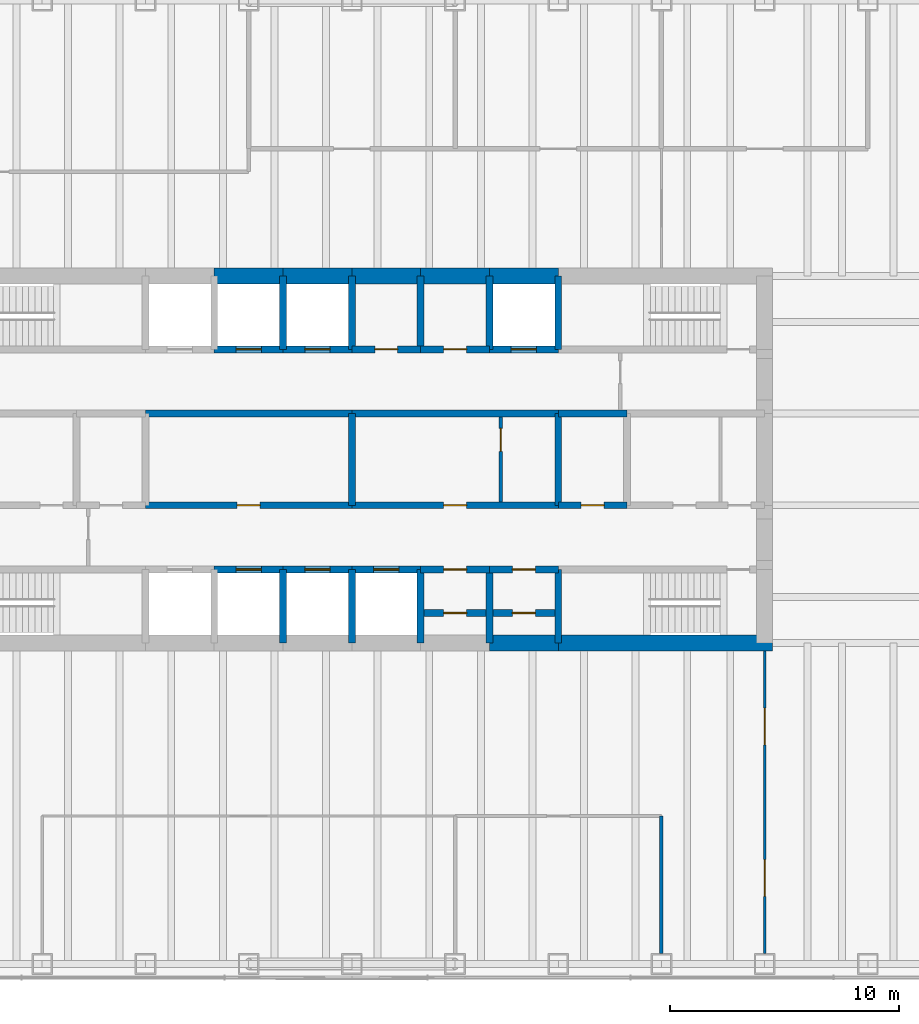
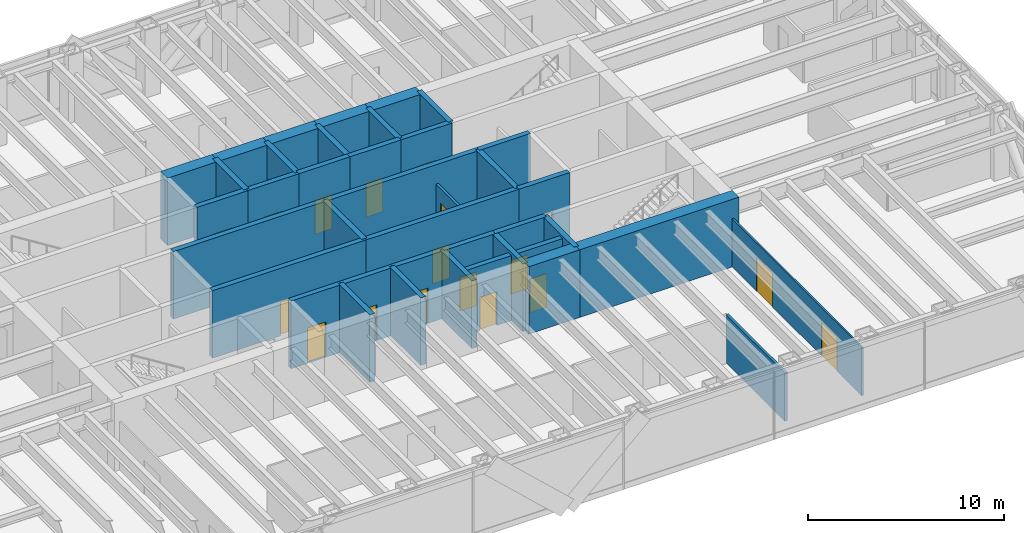
# One storey, part 14 of 17: 40 walls, 18 doors, 18 openings.
"""IFC4 building model written with IfcOpenShell, lengths in metres."""

from ifc_helpers import new_model, si_unit, direction, frame, frame_2d, origin, place, context, subcontext, project, spatial, rectangle, extrude, material, layer, layer_set, type_object, element, fill, save


model = new_model("IFC4")

# Units and contexts
model_context = context("Model", 3, precision=1e-05, world=origin(), true_north=direction((0.0, 1.0)))
body_context = subcontext(model_context, "Body", "Model", "MODEL_VIEW")
ifc_project = project(units=[si_unit("LENGTHUNIT", "METRE"), si_unit("AREAUNIT", "SQUARE_METRE"), si_unit("VOLUMEUNIT", "CUBIC_METRE"), si_unit("PLANEANGLEUNIT", "RADIAN"), si_unit("MASSUNIT", "GRAM", prefix="KILO")], contexts=[model_context])

# Site, building, storey
site_placement = place(None, origin())
site = spatial("IfcSite", under=ifc_project, at=site_placement, CompositionType="ELEMENT")
building_placement = place(site_placement, origin())
building = spatial("IfcBuilding", under=site, at=building_placement, Name="Rheinbord Bourse Tower", CompositionType="ELEMENT")
storey_placement = place(building_placement, frame((0.0, 0.0, 304.699951171875)))
storey = spatial("IfcBuildingStorey", under=building, at=storey_placement, Name="L69", CompositionType="ELEMENT", Elevation=304.699951171875)

# Wall, opening, door
ifc_material_1 = material(Name="Concrete C50/60", Category="concrete")
ifc_layer_1 = layer(ifc_material_1, 0.300048828125)
ifc_layer_set_1 = layer_set([ifc_layer_1], Name="CORE INNER WALL 300")
wall_type_1 = type_object("IfcWallType", Name="CORE INNER WALL 300", PredefinedType="SOLIDWALL", material=ifc_layer_set_1)
wall_1_placement = place(storey_placement, frame((30.0, 19.199951171875, 0.0), z_axis=(0.0, 0.0, 1.0), x_axis=(1.0, 0.0, 0.0)))
wall_1 = element("IfcWall", 1, at=wall_1_placement, inside=storey, type_object=wall_type_1, Name="Core wall A3 L69", PredefinedType="SOLIDWALL", context=body_context, shape_type="SweptSolid", body=[
    extrude(rectangle(XDim=3.0, YDim=0.300048828125, at=frame_2d((1.5, 0.0))), origin(), (0.0, 0.0, 1.0), 4.199951171875),
])
opening_1_placement = place(wall_1_placement, frame((0.949951171875, 0.0, 0.0)))
opening_1 = element("IfcOpeningElement", 2, at=opening_1_placement, cuts=wall_1, Name="Opening PD1", PredefinedType="OPENING", context=body_context, shape_type="SweptSolid", body=[
    extrude(rectangle(XDim=1.10009765625, YDim=2.199951171875, at=frame_2d((0.550048828125, 1.10009765625))), frame((0.0, 0.159912109375, 0.0), z_axis=(0.0, -1.0, 0.0), x_axis=(1.0, 0.0, 0.0)), (0.0, 0.0, 1.0), 0.320068359375),
])
ifc_material_2 = material(Name="Steel landing door", Category="steel")
door_type_1 = type_object("IfcDoorType", Name="LIFT LANDING DOOR 1100", OperationType="DOUBLE_DOOR_SLIDING", PredefinedType="USERDEFINED", material=ifc_material_2)
door_1_placement = place(opening_1_placement, origin())
door_1 = element("IfcDoor", 3, at=door_1_placement, inside=storey, type_object=door_type_1, Name="Lift landing door PD1 L69", ObjectType="LIFT LANDING DOOR", OperationType="DOUBLE_DOOR_SLIDING", OverallHeight=2.199951171875, OverallWidth=1.10009765625, PredefinedType="USERDEFINED", context=body_context, shape_type="SweptSolid", body=[
    extrude(rectangle(XDim=1.10009765625, YDim=2.199951171875, at=frame_2d((0.550048828125, 1.10009765625))), frame((0.0, 0.02490234375, 0.0), z_axis=(0.0, -1.0, 0.0), x_axis=(1.0, 0.0, 0.0)), (0.0, 0.0, 1.0), 0.050048828125),
])
fill(opening_1, door_1)

wall_2_placement = place(storey_placement, frame((33.0, 19.199951171875, 0.0), z_axis=(0.0, 0.0, 1.0), x_axis=(1.0, 0.0, 0.0)))
wall_2 = element("IfcWall", 4, at=wall_2_placement, inside=storey, type_object=wall_type_1, Name="Core wall A4 L69", PredefinedType="SOLIDWALL", context=body_context, shape_type="SweptSolid", body=[
    extrude(rectangle(XDim=3.0, YDim=0.300048828125, at=frame_2d((1.5, 0.0))), origin(), (0.0, 0.0, 1.0), 4.199951171875),
])
opening_2_placement = place(wall_2_placement, frame((0.949951171875, 0.0, 0.0)))
opening_2 = element("IfcOpeningElement", 5, at=opening_2_placement, cuts=wall_2, Name="Opening PD2", PredefinedType="OPENING", context=body_context, shape_type="SweptSolid", body=[
    extrude(rectangle(XDim=1.10009765625, YDim=2.199951171875, at=frame_2d((0.550048828125, 1.10009765625))), frame((0.0, 0.159912109375, 0.0), z_axis=(0.0, -1.0, 0.0), x_axis=(1.0, 0.0, 0.0)), (0.0, 0.0, 1.0), 0.320068359375),
])
door_2_placement = place(opening_2_placement, origin())
door_2 = element("IfcDoor", 6, at=door_2_placement, inside=storey, type_object=door_type_1, Name="Lift landing door PD2 L69", ObjectType="LIFT LANDING DOOR", OperationType="DOUBLE_DOOR_SLIDING", OverallHeight=2.199951171875, OverallWidth=1.10009765625, PredefinedType="USERDEFINED", context=body_context, shape_type="SweptSolid", body=[
    extrude(rectangle(XDim=1.10009765625, YDim=2.199951171875, at=frame_2d((0.550048828125, 1.10009765625))), frame((0.0, 0.02490234375, 0.0), z_axis=(0.0, -1.0, 0.0), x_axis=(1.0, 0.0, 0.0)), (0.0, 0.0, 1.0), 0.050048828125),
])
fill(opening_2, door_2)

wall_3_placement = place(storey_placement, frame((36.0, 19.199951171875, 0.0), z_axis=(0.0, 0.0, 1.0), x_axis=(1.0, 0.0, 0.0)))
wall_3 = element("IfcWall", 7, at=wall_3_placement, inside=storey, type_object=wall_type_1, Name="Core wall A5 L69", PredefinedType="SOLIDWALL", context=body_context, shape_type="SweptSolid", body=[
    extrude(rectangle(XDim=3.0, YDim=0.300048828125, at=frame_2d((1.5, 0.0))), origin(), (0.0, 0.0, 1.0), 4.199951171875),
])
opening_3_placement = place(wall_3_placement, frame((0.949951171875, 0.0, 0.0)))
opening_3 = element("IfcOpeningElement", 8, at=opening_3_placement, cuts=wall_3, Name="Opening PD3", PredefinedType="OPENING", context=body_context, shape_type="SweptSolid", body=[
    extrude(rectangle(XDim=1.10009765625, YDim=2.199951171875, at=frame_2d((0.550048828125, 1.10009765625))), frame((0.0, 0.159912109375, 0.0), z_axis=(0.0, -1.0, 0.0), x_axis=(1.0, 0.0, 0.0)), (0.0, 0.0, 1.0), 0.320068359375),
])
door_3_placement = place(opening_3_placement, origin())
door_3 = element("IfcDoor", 9, at=door_3_placement, inside=storey, type_object=door_type_1, Name="Lift landing door PD3 L69", ObjectType="LIFT LANDING DOOR", OperationType="DOUBLE_DOOR_SLIDING", OverallHeight=2.199951171875, OverallWidth=1.10009765625, PredefinedType="USERDEFINED", context=body_context, shape_type="SweptSolid", body=[
    extrude(rectangle(XDim=1.10009765625, YDim=2.199951171875, at=frame_2d((0.550048828125, 1.10009765625))), frame((0.0, 0.02490234375, 0.0), z_axis=(0.0, -1.0, 0.0), x_axis=(1.0, 0.0, 0.0)), (0.0, 0.0, 1.0), 0.050048828125),
])
fill(opening_3, door_3)

wall_4_placement = place(storey_placement, frame((39.0, 19.199951171875, 0.0), z_axis=(0.0, 0.0, 1.0), x_axis=(1.0, 0.0, 0.0)))
wall_4 = element("IfcWall", 10, at=wall_4_placement, inside=storey, type_object=wall_type_1, Name="Core wall A6 L69", PredefinedType="SOLIDWALL", context=body_context, shape_type="SweptSolid", body=[
    extrude(rectangle(XDim=3.0, YDim=0.300048828125, at=frame_2d((1.5, 0.0))), origin(), (0.0, 0.0, 1.0), 4.199951171875),
])
opening_4_placement = place(wall_4_placement, frame((1.0, 0.0, 0.0)))
opening_4 = element("IfcOpeningElement", 11, at=opening_4_placement, cuts=wall_4, Name="Opening 69R8", PredefinedType="OPENING", context=body_context, shape_type="SweptSolid", body=[
    extrude(rectangle(XDim=1.0, YDim=2.10009765625, at=frame_2d((0.5, 1.050048828125))), frame((0.0, 0.159912109375, 0.0), z_axis=(0.0, -1.0, 0.0), x_axis=(1.0, 0.0, 0.0)), (0.0, 0.0, 1.0), 0.320068359375),
])
ifc_material_3 = material(Name="Steel door", Category="steel")
door_type_2 = type_object("IfcDoorType", Name="DOOR 1000 EI30", OperationType="SINGLE_SWING_LEFT", PredefinedType="DOOR", material=ifc_material_3)
door_4_placement = place(opening_4_placement, origin())
door_4 = element("IfcDoor", 12, at=door_4_placement, inside=storey, type_object=door_type_2, Name="Stationery store door L69", OperationType="SINGLE_SWING_LEFT", OverallHeight=2.10009765625, OverallWidth=1.0, PredefinedType="DOOR", context=body_context, shape_type="SweptSolid", body=[
    extrude(rectangle(XDim=1.0, YDim=2.10009765625, at=frame_2d((0.5, 1.050048828125))), frame((0.0, 0.02490234375, 0.0), z_axis=(0.0, -1.0, 0.0), x_axis=(1.0, 0.0, 0.0)), (0.0, 0.0, 1.0), 0.050048828125),
])
fill(opening_4, door_4)

wall_5_placement = place(storey_placement, frame((42.0, 19.199951171875, 0.0), z_axis=(0.0, 0.0, 1.0), x_axis=(1.0, 0.0, 0.0)))
wall_5 = element("IfcWall", 13, at=wall_5_placement, inside=storey, type_object=wall_type_1, Name="Core wall A7 L69", PredefinedType="SOLIDWALL", context=body_context, shape_type="SweptSolid", body=[
    extrude(rectangle(XDim=3.0, YDim=0.300048828125, at=frame_2d((1.5, 0.0))), origin(), (0.0, 0.0, 1.0), 4.199951171875),
])
opening_5_placement = place(wall_5_placement, frame((1.0, 0.0, 0.0)))
opening_5 = element("IfcOpeningElement", 14, at=opening_5_placement, cuts=wall_5, Name="Opening 69R9", PredefinedType="OPENING", context=body_context, shape_type="SweptSolid", body=[
    extrude(rectangle(XDim=1.0, YDim=2.10009765625, at=frame_2d((0.5, 1.050048828125))), frame((0.0, 0.159912109375, 0.0), z_axis=(0.0, -1.0, 0.0), x_axis=(1.0, 0.0, 0.0)), (0.0, 0.0, 1.0), 0.320068359375),
])
door_5_placement = place(opening_5_placement, origin())
door_5 = element("IfcDoor", 15, at=door_5_placement, inside=storey, type_object=door_type_2, Name="Supplies store door L69", OperationType="SINGLE_SWING_LEFT", OverallHeight=2.10009765625, OverallWidth=1.0, PredefinedType="DOOR", context=body_context, shape_type="SweptSolid", body=[
    extrude(rectangle(XDim=1.0, YDim=2.10009765625, at=frame_2d((0.5, 1.050048828125))), frame((0.0, 0.02490234375, 0.0), z_axis=(0.0, -1.0, 0.0), x_axis=(1.0, 0.0, 0.0)), (0.0, 0.0, 1.0), 0.050048828125),
])
fill(opening_5, door_5)

wall_6_placement = place(storey_placement, frame((30.0, 28.800048828125, 0.0), z_axis=(0.0, 0.0, 1.0), x_axis=(1.0, 0.0, 0.0)))
wall_6 = element("IfcWall", 16, at=wall_6_placement, inside=storey, type_object=wall_type_1, Name="Core wall B3 L69", PredefinedType="SOLIDWALL", context=body_context, shape_type="SweptSolid", body=[
    extrude(rectangle(XDim=3.0, YDim=0.300048828125, at=frame_2d((1.5, 0.0))), origin(), (0.0, 0.0, 1.0), 4.199951171875),
])
opening_6_placement = place(wall_6_placement, frame((0.949951171875, 0.0, 0.0)))
opening_6 = element("IfcOpeningElement", 17, at=opening_6_placement, cuts=wall_6, Name="Opening PD4", PredefinedType="OPENING", context=body_context, shape_type="SweptSolid", body=[
    extrude(rectangle(XDim=1.10009765625, YDim=2.199951171875, at=frame_2d((0.550048828125, 1.10009765625))), frame((0.0, 0.159912109375, 0.0), z_axis=(0.0, -1.0, 0.0), x_axis=(1.0, 0.0, 0.0)), (0.0, 0.0, 1.0), 0.320068359375),
])
door_6_placement = place(opening_6_placement, origin())
door_6 = element("IfcDoor", 18, at=door_6_placement, inside=storey, type_object=door_type_1, Name="Lift landing door PD4 L69", ObjectType="LIFT LANDING DOOR", OperationType="DOUBLE_DOOR_SLIDING", OverallHeight=2.199951171875, OverallWidth=1.10009765625, PredefinedType="USERDEFINED", context=body_context, shape_type="SweptSolid", body=[
    extrude(rectangle(XDim=1.10009765625, YDim=2.199951171875, at=frame_2d((0.550048828125, 1.10009765625))), frame((0.0, 0.02490234375, 0.0), z_axis=(0.0, -1.0, 0.0), x_axis=(1.0, 0.0, 0.0)), (0.0, 0.0, 1.0), 0.050048828125),
])
fill(opening_6, door_6)

wall_7_placement = place(storey_placement, frame((33.0, 28.800048828125, 0.0), z_axis=(0.0, 0.0, 1.0), x_axis=(1.0, 0.0, 0.0)))
wall_7 = element("IfcWall", 19, at=wall_7_placement, inside=storey, type_object=wall_type_1, Name="Core wall B4 L69", PredefinedType="SOLIDWALL", context=body_context, shape_type="SweptSolid", body=[
    extrude(rectangle(XDim=3.0, YDim=0.300048828125, at=frame_2d((1.5, 0.0))), origin(), (0.0, 0.0, 1.0), 4.199951171875),
])
opening_7_placement = place(wall_7_placement, frame((0.949951171875, 0.0, 0.0)))
opening_7 = element("IfcOpeningElement", 20, at=opening_7_placement, cuts=wall_7, Name="Opening PD5", PredefinedType="OPENING", context=body_context, shape_type="SweptSolid", body=[
    extrude(rectangle(XDim=1.10009765625, YDim=2.199951171875, at=frame_2d((0.550048828125, 1.10009765625))), frame((0.0, 0.159912109375, 0.0), z_axis=(0.0, -1.0, 0.0), x_axis=(1.0, 0.0, 0.0)), (0.0, 0.0, 1.0), 0.320068359375),
])
door_7_placement = place(opening_7_placement, origin())
door_7 = element("IfcDoor", 21, at=door_7_placement, inside=storey, type_object=door_type_1, Name="Lift landing door PD5 L69", ObjectType="LIFT LANDING DOOR", OperationType="DOUBLE_DOOR_SLIDING", OverallHeight=2.199951171875, OverallWidth=1.10009765625, PredefinedType="USERDEFINED", context=body_context, shape_type="SweptSolid", body=[
    extrude(rectangle(XDim=1.10009765625, YDim=2.199951171875, at=frame_2d((0.550048828125, 1.10009765625))), frame((0.0, 0.02490234375, 0.0), z_axis=(0.0, -1.0, 0.0), x_axis=(1.0, 0.0, 0.0)), (0.0, 0.0, 1.0), 0.050048828125),
])
fill(opening_7, door_7)

wall_8_placement = place(storey_placement, frame((36.0, 28.800048828125, 0.0), z_axis=(0.0, 0.0, 1.0), x_axis=(1.0, 0.0, 0.0)))
wall_8 = element("IfcWall", 22, at=wall_8_placement, inside=storey, type_object=wall_type_1, Name="Core wall B5 L69", PredefinedType="SOLIDWALL", context=body_context, shape_type="SweptSolid", body=[
    extrude(rectangle(XDim=3.0, YDim=0.300048828125, at=frame_2d((1.5, 0.0))), origin(), (0.0, 0.0, 1.0), 4.199951171875),
])
opening_8_placement = place(wall_8_placement, frame((1.0, 0.0, 0.0)))
opening_8 = element("IfcOpeningElement", 23, at=opening_8_placement, cuts=wall_8, Name="Opening 69R10", PredefinedType="OPENING", context=body_context, shape_type="SweptSolid", body=[
    extrude(rectangle(XDim=1.0, YDim=2.10009765625, at=frame_2d((0.5, 1.050048828125))), frame((0.0, 0.159912109375, 0.0), z_axis=(0.0, -1.0, 0.0), x_axis=(1.0, 0.0, 0.0)), (0.0, 0.0, 1.0), 0.320068359375),
])
door_8_placement = place(opening_8_placement, origin())
door_8 = element("IfcDoor", 24, at=door_8_placement, inside=storey, type_object=door_type_2, Name="IT room door L69", OperationType="SINGLE_SWING_LEFT", OverallHeight=2.10009765625, OverallWidth=1.0, PredefinedType="DOOR", context=body_context, shape_type="SweptSolid", body=[
    extrude(rectangle(XDim=1.0, YDim=2.10009765625, at=frame_2d((0.5, 1.050048828125))), frame((0.0, 0.02490234375, 0.0), z_axis=(0.0, -1.0, 0.0), x_axis=(1.0, 0.0, 0.0)), (0.0, 0.0, 1.0), 0.050048828125),
])
fill(opening_8, door_8)

wall_9_placement = place(storey_placement, frame((39.0, 28.800048828125, 0.0), z_axis=(0.0, 0.0, 1.0), x_axis=(1.0, 0.0, 0.0)))
wall_9 = element("IfcWall", 25, at=wall_9_placement, inside=storey, type_object=wall_type_1, Name="Core wall B6 L69", PredefinedType="SOLIDWALL", context=body_context, shape_type="SweptSolid", body=[
    extrude(rectangle(XDim=3.0, YDim=0.300048828125, at=frame_2d((1.5, 0.0))), origin(), (0.0, 0.0, 1.0), 4.199951171875),
])
opening_9_placement = place(wall_9_placement, frame((1.0, 0.0, 0.0)))
opening_9 = element("IfcOpeningElement", 26, at=opening_9_placement, cuts=wall_9, Name="Opening 69R11", PredefinedType="OPENING", context=body_context, shape_type="SweptSolid", body=[
    extrude(rectangle(XDim=1.0, YDim=2.10009765625, at=frame_2d((0.5, 1.050048828125))), frame((0.0, 0.159912109375, 0.0), z_axis=(0.0, -1.0, 0.0), x_axis=(1.0, 0.0, 0.0)), (0.0, 0.0, 1.0), 0.320068359375),
])
door_9_placement = place(opening_9_placement, origin())
door_9 = element("IfcDoor", 27, at=door_9_placement, inside=storey, type_object=door_type_2, Name="Store door L69", OperationType="SINGLE_SWING_LEFT", OverallHeight=2.10009765625, OverallWidth=1.0, PredefinedType="DOOR", context=body_context, shape_type="SweptSolid", body=[
    extrude(rectangle(XDim=1.0, YDim=2.10009765625, at=frame_2d((0.5, 1.050048828125))), frame((0.0, 0.02490234375, 0.0), z_axis=(0.0, -1.0, 0.0), x_axis=(1.0, 0.0, 0.0)), (0.0, 0.0, 1.0), 0.050048828125),
])
fill(opening_9, door_9)

wall_10_placement = place(storey_placement, frame((42.0, 28.800048828125, 0.0), z_axis=(0.0, 0.0, 1.0), x_axis=(1.0, 0.0, 0.0)))
wall_10 = element("IfcWall", 28, at=wall_10_placement, inside=storey, type_object=wall_type_1, Name="Core wall B7 L69", PredefinedType="SOLIDWALL", context=body_context, shape_type="SweptSolid", body=[
    extrude(rectangle(XDim=3.0, YDim=0.300048828125, at=frame_2d((1.5, 0.0))), origin(), (0.0, 0.0, 1.0), 4.199951171875),
])
opening_10_placement = place(wall_10_placement, frame((0.949951171875, 0.0, 0.0)))
opening_10 = element("IfcOpeningElement", 29, at=opening_10_placement, cuts=wall_10, Name="Opening FL2", PredefinedType="OPENING", context=body_context, shape_type="SweptSolid", body=[
    extrude(rectangle(XDim=1.10009765625, YDim=2.199951171875, at=frame_2d((0.550048828125, 1.10009765625))), frame((0.0, 0.159912109375, 0.0), z_axis=(0.0, -1.0, 0.0), x_axis=(1.0, 0.0, 0.0)), (0.0, 0.0, 1.0), 0.320068359375),
])
door_10_placement = place(opening_10_placement, origin())
door_10 = element("IfcDoor", 30, at=door_10_placement, inside=storey, type_object=door_type_1, Name="Lift landing door FL2 L69", ObjectType="LIFT LANDING DOOR", OperationType="DOUBLE_DOOR_SLIDING", OverallHeight=2.199951171875, OverallWidth=1.10009765625, PredefinedType="USERDEFINED", context=body_context, shape_type="SweptSolid", body=[
    extrude(rectangle(XDim=1.10009765625, YDim=2.199951171875, at=frame_2d((0.550048828125, 1.10009765625))), frame((0.0, 0.02490234375, 0.0), z_axis=(0.0, -1.0, 0.0), x_axis=(1.0, 0.0, 0.0)), (0.0, 0.0, 1.0), 0.050048828125),
])
fill(opening_10, door_10)

wall_11_placement = place(storey_placement, frame((27.0, 22.0, 0.0), z_axis=(0.0, 0.0, 1.0), x_axis=(1.0, 0.0, 0.0)))
wall_11 = element("IfcWall", 31, at=wall_11_placement, inside=storey, type_object=wall_type_1, Name="Core wall C3 L69", PredefinedType="SOLIDWALL", context=body_context, shape_type="SweptSolid", body=[
    extrude(rectangle(XDim=9.0, YDim=0.300048828125, at=frame_2d((4.5, 0.0))), origin(), (0.0, 0.0, 1.0), 4.199951171875),
])
opening_11_placement = place(wall_11_placement, frame((4.0, 0.0, 0.0)))
opening_11 = element("IfcOpeningElement", 32, at=opening_11_placement, cuts=wall_11, Name="Opening 69R3", PredefinedType="OPENING", context=body_context, shape_type="SweptSolid", body=[
    extrude(rectangle(XDim=1.0, YDim=2.10009765625, at=frame_2d((0.5, 1.050048828125))), frame((0.0, 0.159912109375, 0.0), z_axis=(0.0, -1.0, 0.0), x_axis=(1.0, 0.0, 0.0)), (0.0, 0.0, 1.0), 0.320068359375),
])
door_11_placement = place(opening_11_placement, origin())
door_11 = element("IfcDoor", 33, at=door_11_placement, inside=storey, type_object=door_type_2, Name="Riser door L69", OperationType="SINGLE_SWING_LEFT", OverallHeight=2.10009765625, OverallWidth=1.0, PredefinedType="DOOR", context=body_context, shape_type="SweptSolid", body=[
    extrude(rectangle(XDim=1.0, YDim=2.10009765625, at=frame_2d((0.5, 1.050048828125))), frame((0.0, 0.02490234375, 0.0), z_axis=(0.0, -1.0, 0.0), x_axis=(1.0, 0.0, 0.0)), (0.0, 0.0, 1.0), 0.050048828125),
])
fill(opening_11, door_11)

wall_12_placement = place(storey_placement, frame((36.0, 22.0, 0.0), z_axis=(0.0, 0.0, 1.0), x_axis=(1.0, 0.0, 0.0)))
wall_12 = element("IfcWall", 34, at=wall_12_placement, inside=storey, type_object=wall_type_1, Name="Core wall C4 L69", PredefinedType="SOLIDWALL", context=body_context, shape_type="SweptSolid", body=[
    extrude(rectangle(XDim=9.0, YDim=0.300048828125, at=frame_2d((4.5, 0.0))), origin(), (0.0, 0.0, 1.0), 4.199951171875),
])
opening_12_placement = place(wall_12_placement, frame((4.0, 0.0, 0.0)))
opening_12 = element("IfcOpeningElement", 35, at=opening_12_placement, cuts=wall_12, Name="Opening 69R4", PredefinedType="OPENING", context=body_context, shape_type="SweptSolid", body=[
    extrude(rectangle(XDim=1.0, YDim=2.10009765625, at=frame_2d((0.5, 1.050048828125))), frame((0.0, 0.159912109375, 0.0), z_axis=(0.0, -1.0, 0.0), x_axis=(1.0, 0.0, 0.0)), (0.0, 0.0, 1.0), 0.320068359375),
])
door_12_placement = place(opening_12_placement, origin())
door_12 = element("IfcDoor", 36, at=door_12_placement, inside=storey, type_object=door_type_2, Name="Print room door L69", OperationType="SINGLE_SWING_LEFT", OverallHeight=2.10009765625, OverallWidth=1.0, PredefinedType="DOOR", context=body_context, shape_type="SweptSolid", body=[
    extrude(rectangle(XDim=1.0, YDim=2.10009765625, at=frame_2d((0.5, 1.050048828125))), frame((0.0, 0.02490234375, 0.0), z_axis=(0.0, -1.0, 0.0), x_axis=(1.0, 0.0, 0.0)), (0.0, 0.0, 1.0), 0.050048828125),
])
fill(opening_12, door_12)

wall_13_placement = place(storey_placement, frame((45.0, 22.0, 0.0), z_axis=(0.0, 0.0, 1.0), x_axis=(1.0, 0.0, 0.0)))
wall_13 = element("IfcWall", 37, at=wall_13_placement, inside=storey, type_object=wall_type_1, Name="Core wall C5 L69", PredefinedType="SOLIDWALL", context=body_context, shape_type="SweptSolid", body=[
    extrude(rectangle(XDim=3.0, YDim=0.300048828125, at=frame_2d((1.5, 0.0))), origin(), (0.0, 0.0, 1.0), 4.199951171875),
])
opening_13_placement = place(wall_13_placement, frame((1.0, 0.0, 0.0)))
opening_13 = element("IfcOpeningElement", 38, at=opening_13_placement, cuts=wall_13, Name="Opening 69R5", PredefinedType="OPENING", context=body_context, shape_type="SweptSolid", body=[
    extrude(rectangle(XDim=1.0, YDim=2.10009765625, at=frame_2d((0.5, 1.050048828125))), frame((0.0, 0.159912109375, 0.0), z_axis=(0.0, -1.0, 0.0), x_axis=(1.0, 0.0, 0.0)), (0.0, 0.0, 1.0), 0.320068359375),
])
ifc_material_4 = material(Name="Timber door", Category="wood")
door_type_3 = type_object("IfcDoorType", Name="DOOR 1000 WC", OperationType="SINGLE_SWING_LEFT", PredefinedType="DOOR", material=ifc_material_4)
door_13_placement = place(opening_13_placement, origin())
door_13 = element("IfcDoor", 39, at=door_13_placement, inside=storey, type_object=door_type_3, Name="Accessible WC door L69", OperationType="SINGLE_SWING_LEFT", OverallHeight=2.10009765625, OverallWidth=1.0, PredefinedType="DOOR", context=body_context, shape_type="SweptSolid", body=[
    extrude(rectangle(XDim=1.0, YDim=2.10009765625, at=frame_2d((0.5, 1.050048828125))), frame((0.0, 0.02490234375, 0.0), z_axis=(0.0, -1.0, 0.0), x_axis=(1.0, 0.0, 0.0)), (0.0, 0.0, 1.0), 0.050048828125),
])
fill(opening_13, door_13)

# Walls
for number, where, z_axis, x_axis, name in (
    (40, (27.0, 26.0, 0.0), (0.0, 0.0, 1.0), (1.0, 0.0, 0.0), "Core wall D3 L69"),
    (41, (36.0, 26.0, 0.0), (0.0, 0.0, 1.0), (1.0, 0.0, 0.0), "Core wall D4 L69"),
):
    element("IfcWall", number, at=place(storey_placement, frame(where, z_axis=z_axis, x_axis=x_axis)), inside=storey, type_object=wall_type_1, Name=name, PredefinedType="SOLIDWALL", context=body_context, shape_type="SweptSolid", body=[
        extrude(rectangle(XDim=9.0, YDim=0.300048828125, at=frame_2d((4.5, 0.0))), origin(), (0.0, 0.0, 1.0), 4.199951171875),
    ])
wall_14_placement = place(storey_placement, frame((45.0, 26.0, 0.0), z_axis=(0.0, 0.0, 1.0), x_axis=(1.0, 0.0, 0.0)))
element("IfcWall", 42, at=wall_14_placement, inside=storey, type_object=wall_type_1, Name="Core wall D5 L69", PredefinedType="SOLIDWALL", context=body_context, shape_type="SweptSolid", body=[
    extrude(rectangle(XDim=3.0, YDim=0.300048828125, at=frame_2d((1.5, 0.0))), origin(), (0.0, 0.0, 1.0), 4.199951171875),
])
for number, where, z_axis, x_axis, name in (
    (43, (33.0, 16.0, 0.0), (0.0, 0.0, 1.0), (0.0, 1.0, 0.0), "Core wall SX33 L69"),
    (44, (33.0, 28.800048828125, 0.0), (0.0, 0.0, 1.0), (0.0, 1.0, 0.0), "Core wall NX33 L69"),
    (45, (36.0, 16.0, 0.0), (0.0, 0.0, 1.0), (0.0, 1.0, 0.0), "Core wall SX36 L69"),
    (46, (36.0, 28.800048828125, 0.0), (0.0, 0.0, 1.0), (0.0, 1.0, 0.0), "Core wall NX36 L69"),
    (47, (39.0, 16.0, 0.0), (0.0, 0.0, 1.0), (0.0, 1.0, 0.0), "Core wall SX39 L69"),
    (48, (39.0, 28.800048828125, 0.0), (0.0, 0.0, 1.0), (0.0, 1.0, 0.0), "Core wall NX39 L69"),
    (49, (42.0, 16.0, 0.0), (0.0, 0.0, 1.0), (0.0, 1.0, 0.0), "Core wall SX42 L69"),
    (50, (42.0, 28.800048828125, 0.0), (0.0, 0.0, 1.0), (0.0, 1.0, 0.0), "Core wall NX42 L69"),
    (51, (45.0, 16.0, 0.0), (0.0, 0.0, 1.0), (0.0, 1.0, 0.0), "Core wall SX45 L69"),
    (52, (45.0, 28.800048828125, 0.0), (0.0, 0.0, 1.0), (0.0, 1.0, 0.0), "Core wall NX45 L69"),
):
    element("IfcWall", number, at=place(storey_placement, frame(where, z_axis=z_axis, x_axis=x_axis)), inside=storey, type_object=wall_type_1, Name=name, PredefinedType="SOLIDWALL", context=body_context, shape_type="SweptSolid", body=[
        extrude(rectangle(XDim=3.199951171875, YDim=0.300048828125, at=frame_2d((1.60009765625, 0.0))), origin(), (0.0, 0.0, 1.0), 4.199951171875),
    ])
for number, where, z_axis, x_axis, name in (
    (53, (36.0, 22.0, 0.0), (0.0, 0.0, 1.0), (0.0, 1.0, 0.0), "Core wall MX36 L69"),
    (54, (45.0, 22.0, 0.0), (0.0, 0.0, 1.0), (0.0, 1.0, 0.0), "Core wall MX45 L69"),
):
    element("IfcWall", number, at=place(storey_placement, frame(where, z_axis=z_axis, x_axis=x_axis)), inside=storey, type_object=wall_type_1, Name=name, PredefinedType="SOLIDWALL", context=body_context, shape_type="SweptSolid", body=[
        extrude(rectangle(XDim=4.0, YDim=0.300048828125, at=frame_2d((2.0, 0.0))), origin(), (0.0, 0.0, 1.0), 4.199951171875),
    ])

# Wall, opening, door
wall_15_placement = place(storey_placement, frame((39.14990234375, 17.300048828125, 0.0), z_axis=(0.0, 0.0, 1.0), x_axis=(1.0, 0.0, 0.0)))
wall_15 = element("IfcWall", 55, at=wall_15_placement, inside=storey, type_object=wall_type_1, Name="Core riser wall L69-6", PredefinedType="SOLIDWALL", context=body_context, shape_type="SweptSolid", body=[
    extrude(rectangle(XDim=2.7001953125, YDim=0.300048828125, at=frame_2d((1.35009765625, 0.0))), origin(), (0.0, 0.0, 1.0), 4.0400390625),
])
opening_14_placement = place(wall_15_placement, frame((0.85009765625, 0.0, 0.0)))
opening_14 = element("IfcOpeningElement", 56, at=opening_14_placement, cuts=wall_15, Name="Opening 69R12", PredefinedType="OPENING", context=body_context, shape_type="SweptSolid", body=[
    extrude(rectangle(XDim=1.0, YDim=2.10009765625, at=frame_2d((0.5, 1.050048828125))), frame((0.0, 0.159912109375, 0.0), z_axis=(0.0, -1.0, 0.0), x_axis=(1.0, 0.0, 0.0)), (0.0, 0.0, 1.0), 0.320068359375),
])
door_14_placement = place(opening_14_placement, origin())
door_14 = element("IfcDoor", 57, at=door_14_placement, inside=storey, type_object=door_type_2, Name="Comms riser door L69", OperationType="SINGLE_SWING_LEFT", OverallHeight=2.10009765625, OverallWidth=1.0, PredefinedType="DOOR", context=body_context, shape_type="SweptSolid", body=[
    extrude(rectangle(XDim=1.0, YDim=2.10009765625, at=frame_2d((0.5, 1.050048828125))), frame((0.0, 0.02490234375, 0.0), z_axis=(0.0, -1.0, 0.0), x_axis=(1.0, 0.0, 0.0)), (0.0, 0.0, 1.0), 0.050048828125),
])
fill(opening_14, door_14)

wall_16_placement = place(storey_placement, frame((42.14990234375, 17.300048828125, 0.0), z_axis=(0.0, 0.0, 1.0), x_axis=(1.0, 0.0, 0.0)))
wall_16 = element("IfcWall", 58, at=wall_16_placement, inside=storey, type_object=wall_type_1, Name="Core riser wall L69-7", PredefinedType="SOLIDWALL", context=body_context, shape_type="SweptSolid", body=[
    extrude(rectangle(XDim=2.7001953125, YDim=0.300048828125, at=frame_2d((1.35009765625, 0.0))), origin(), (0.0, 0.0, 1.0), 4.0400390625),
])
opening_15_placement = place(wall_16_placement, frame((0.85009765625, 0.0, 0.0)))
opening_15 = element("IfcOpeningElement", 59, at=opening_15_placement, cuts=wall_16, Name="Opening 69R13", PredefinedType="OPENING", context=body_context, shape_type="SweptSolid", body=[
    extrude(rectangle(XDim=1.0, YDim=2.10009765625, at=frame_2d((0.5, 1.050048828125))), frame((0.0, 0.159912109375, 0.0), z_axis=(0.0, -1.0, 0.0), x_axis=(1.0, 0.0, 0.0)), (0.0, 0.0, 1.0), 0.320068359375),
])
door_15_placement = place(opening_15_placement, origin())
door_15 = element("IfcDoor", 60, at=door_15_placement, inside=storey, type_object=door_type_2, Name="Electrical riser door L69", OperationType="SINGLE_SWING_LEFT", OverallHeight=2.10009765625, OverallWidth=1.0, PredefinedType="DOOR", context=body_context, shape_type="SweptSolid", body=[
    extrude(rectangle(XDim=1.0, YDim=2.10009765625, at=frame_2d((0.5, 1.050048828125))), frame((0.0, 0.02490234375, 0.0), z_axis=(0.0, -1.0, 0.0), x_axis=(1.0, 0.0, 0.0)), (0.0, 0.0, 1.0), 0.050048828125),
])
fill(opening_15, door_15)

ifc_material_5 = material(Name="Gypsum board fire partition", Category="gypsum board")
ifc_layer_2 = layer(ifc_material_5, 0.14990234375)
ifc_layer_set_2 = layer_set([ifc_layer_2], Name="CORE PARTITION 150 EI30")
wall_type_2 = type_object("IfcWallType", Name="CORE PARTITION 150 EI30", PredefinedType="PARTITIONING", material=ifc_layer_set_2)
wall_17_placement = place(storey_placement, frame((42.5, 22.14990234375, 0.0), z_axis=(0.0, 0.0, 1.0), x_axis=(0.0, 1.0, 0.0)))
wall_17 = element("IfcWall", 61, at=wall_17_placement, inside=storey, type_object=wall_type_2, Name="Core partition L69-1", PredefinedType="PARTITIONING", context=body_context, shape_type="SweptSolid", body=[
    extrude(rectangle(XDim=3.7001953125, YDim=0.14990234375, at=frame_2d((1.85009765625, 0.0))), origin(), (0.0, 0.0, 1.0), 3.0),
])
opening_16_placement = place(wall_17_placement, frame((2.199951171875, 0.0, 0.0)))
opening_16 = element("IfcOpeningElement", 62, at=opening_16_placement, cuts=wall_17, Name="Opening 69R7", PredefinedType="OPENING", context=body_context, shape_type="SweptSolid", body=[
    extrude(rectangle(XDim=1.0, YDim=2.10009765625, at=frame_2d((0.5, 1.050048828125))), frame((0.0, 0.0849609375, 0.0), z_axis=(0.0, -1.0, 0.0), x_axis=(1.0, 0.0, 0.0)), (0.0, 0.0, 1.0), 0.169921875),
])
door_16_placement = place(opening_16_placement, origin())
door_16 = element("IfcDoor", 63, at=door_16_placement, inside=storey, type_object=door_type_2, Name="Paper store door L69", OperationType="SINGLE_SWING_RIGHT", OverallHeight=2.10009765625, OverallWidth=1.0, PredefinedType="DOOR", context=body_context, shape_type="SweptSolid", body=[
    extrude(rectangle(XDim=1.0, YDim=2.10009765625, at=frame_2d((0.5, 1.050048828125))), frame((0.0, 0.02490234375, 0.0), z_axis=(0.0, -1.0, 0.0), x_axis=(1.0, 0.0, 0.0)), (0.0, 0.0, 1.0), 0.050048828125),
])
fill(opening_16, door_16)

# Walls
ifc_material_6 = material(Name="Concrete C50/60", Category="concrete")
ifc_layer_3 = layer(ifc_material_6, 0.699951171875)
ifc_layer_set_3 = layer_set([ifc_layer_3], Name="CORE WALL 700")
wall_type_3 = type_object("IfcWallType", Name="CORE WALL 700", PredefinedType="SHEAR", material=ifc_layer_set_3)
wall_18_placement = place(storey_placement, frame((42.0, 16.0, 0.0), z_axis=(0.0, 0.0, 1.0), x_axis=(1.0, 0.0, 0.0)))
element("IfcWall", 64, at=wall_18_placement, inside=storey, type_object=wall_type_3, Name="Core wall S7 L69", PredefinedType="SHEAR", context=body_context, shape_type="SweptSolid", body=[
    extrude(rectangle(XDim=3.0, YDim=0.699951171875, at=frame_2d((1.5, 0.0))), origin(), (0.0, 0.0, 1.0), 4.199951171875),
])
wall_19_placement = place(storey_placement, frame((45.0, 16.0, 0.0), z_axis=(0.0, 0.0, 1.0), x_axis=(1.0, 0.0, 0.0)))
element("IfcWall", 65, at=wall_19_placement, inside=storey, type_object=wall_type_3, Name="Core wall S8 L69", PredefinedType="SHEAR", context=body_context, shape_type="SweptSolid", body=[
    extrude(rectangle(XDim=9.35009765625, YDim=0.699951171875, at=frame_2d((4.675048828125, 0.0))), origin(), (0.0, 0.0, 1.0), 4.199951171875),
])
for number, where, z_axis, x_axis, name in (
    (66, (45.0, 32.0, 0.0), (0.0, 0.0, 1.0), (-1.0, 0.0, 0.0), "Core wall N2 L69"),
    (67, (42.0, 32.0, 0.0), (0.0, 0.0, 1.0), (-1.0, 0.0, 0.0), "Core wall N3 L69"),
    (68, (39.0, 32.0, 0.0), (0.0, 0.0, 1.0), (-1.0, 0.0, 0.0), "Core wall N4 L69"),
    (69, (36.0, 32.0, 0.0), (0.0, 0.0, 1.0), (-1.0, 0.0, 0.0), "Core wall N5 L69"),
    (70, (33.0, 32.0, 0.0), (0.0, 0.0, 1.0), (-1.0, 0.0, 0.0), "Core wall N6 L69"),
):
    element("IfcWall", number, at=place(storey_placement, frame(where, z_axis=z_axis, x_axis=x_axis)), inside=storey, type_object=wall_type_3, Name=name, PredefinedType="SHEAR", context=body_context, shape_type="SweptSolid", body=[
        extrude(rectangle(XDim=3.0, YDim=0.699951171875, at=frame_2d((1.5, 0.0))), origin(), (0.0, 0.0, 1.0), 4.199951171875),
    ])

# Wall, openings, doors
ifc_material_7 = material(Name="Toughened laminated glass partition", Category="glass")
ifc_layer_4 = layer(ifc_material_7, 0.10009765625)
ifc_layer_set_4 = layer_set([ifc_layer_4], Name="GLAZED PARTITION 100")
wall_type_4 = type_object("IfcWallType", Name="GLAZED PARTITION 100", PredefinedType="PARTITIONING", material=ifc_layer_set_4)
wall_20_placement = place(storey_placement, frame((54.0, 2.449951171875, 0.0), z_axis=(0.0, 0.0, 1.0), x_axis=(0.0, 1.0, 0.0)))
wall_20 = element("IfcWall", 71, at=wall_20_placement, inside=storey, type_object=wall_type_4, Name="Partition L69-23", PredefinedType="PARTITIONING", context=body_context, shape_type="SweptSolid", body=[
    extrude(rectangle(XDim=13.199951171875, YDim=0.10009765625, at=frame_2d((6.60009765625, 0.0))), origin(), (0.0, 0.0, 1.0), 3.0),
])
opening_17_placement = place(wall_20_placement, frame((2.5, 0.0, 0.0)))
opening_17 = element("IfcOpeningElement", 72, at=opening_17_placement, cuts=wall_20, Name="Opening 69D13", PredefinedType="OPENING", context=body_context, shape_type="SweptSolid", body=[
    extrude(rectangle(XDim=1.60009765625, YDim=2.10009765625, at=frame_2d((0.800048828125, 1.050048828125))), frame((0.0, 0.06005859375, 0.0), z_axis=(0.0, -1.0, 0.0), x_axis=(1.0, 0.0, 0.0)), (0.0, 0.0, 1.0), 0.1201171875),
])
opening_18_placement = place(wall_20_placement, frame((9.10009765625, 0.0, 0.0)))
opening_18 = element("IfcOpeningElement", 73, at=opening_18_placement, cuts=wall_20, Name="Opening 69D14", PredefinedType="OPENING", context=body_context, shape_type="SweptSolid", body=[
    extrude(rectangle(XDim=1.60009765625, YDim=2.10009765625, at=frame_2d((0.800048828125, 1.050048828125))), frame((0.0, 0.06005859375, 0.0), z_axis=(0.0, -1.0, 0.0), x_axis=(1.0, 0.0, 0.0)), (0.0, 0.0, 1.0), 0.1201171875),
])
ifc_material_8 = material(Name="Timber door", Category="wood")
door_type_4 = type_object("IfcDoorType", Name="DOUBLE ROOM DOOR 1600", OperationType="DOUBLE_DOOR_DOUBLE_SWING", PredefinedType="DOOR", material=ifc_material_8)
door_17_placement = place(opening_17_placement, origin())
door_17 = element("IfcDoor", 74, at=door_17_placement, inside=storey, type_object=door_type_4, Name="Open area door L69", OperationType="SINGLE_SWING_LEFT", OverallHeight=2.10009765625, OverallWidth=1.60009765625, PredefinedType="DOOR", context=body_context, shape_type="SweptSolid", body=[
    extrude(rectangle(XDim=1.60009765625, YDim=2.10009765625, at=frame_2d((0.800048828125, 1.050048828125))), frame((0.0, 0.02490234375, 0.0), z_axis=(0.0, -1.0, 0.0), x_axis=(1.0, 0.0, 0.0)), (0.0, 0.0, 1.0), 0.050048828125),
])
fill(opening_17, door_17)
door_18_placement = place(opening_18_placement, origin())
door_18 = element("IfcDoor", 75, at=door_18_placement, inside=storey, type_object=door_type_4, Name="Open area door L69", OperationType="SINGLE_SWING_LEFT", OverallHeight=2.10009765625, OverallWidth=1.60009765625, PredefinedType="DOOR", context=body_context, shape_type="SweptSolid", body=[
    extrude(rectangle(XDim=1.60009765625, YDim=2.10009765625, at=frame_2d((0.800048828125, 1.050048828125))), frame((0.0, 0.02490234375, 0.0), z_axis=(0.0, -1.0, 0.0), x_axis=(1.0, 0.0, 0.0)), (0.0, 0.0, 1.0), 0.050048828125),
])
fill(opening_18, door_18)

# Wall
ifc_material_9 = material(Name="Gypsum board partition", Category="gypsum board")
ifc_layer_5 = layer(ifc_material_9, 0.14990234375)
ifc_layer_set_5 = layer_set([ifc_layer_5], Name="PARTITION 150")
wall_type_5 = type_object("IfcWallType", Name="PARTITION 150", PredefinedType="PARTITIONING", material=ifc_layer_set_5)
wall_21_placement = place(storey_placement, frame((49.5, 2.449951171875, 0.0), z_axis=(0.0, 0.0, 1.0), x_axis=(0.0, 1.0, 0.0)))
element("IfcWall", 76, at=wall_21_placement, inside=storey, type_object=wall_type_5, Name="Partition L69-20", PredefinedType="PARTITIONING", context=body_context, shape_type="SweptSolid", body=[
    extrude(rectangle(XDim=6.0, YDim=0.14990234375, at=frame_2d((3.0, 0.0))), origin(), (0.0, 0.0, 1.0), 3.0),
])

save(model, "model.ifc")
